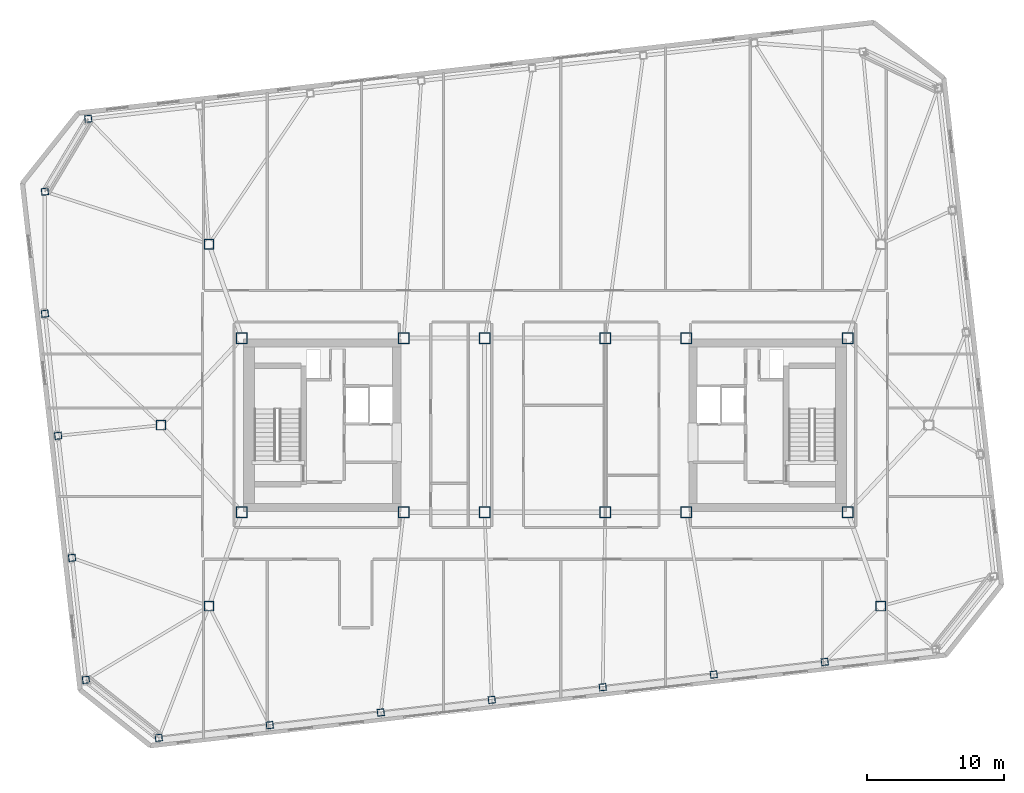
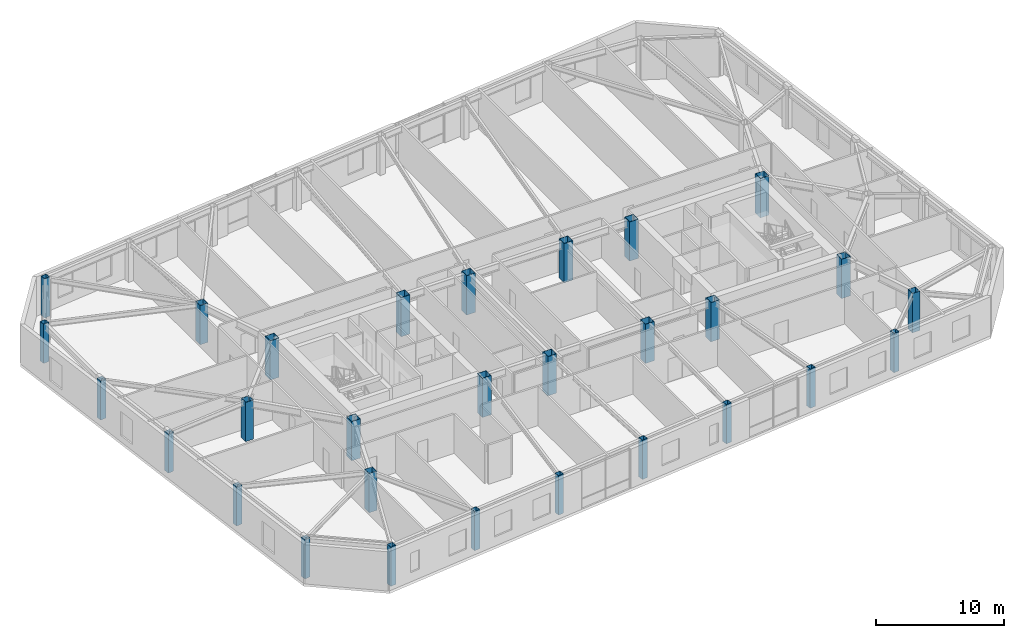
# One storey, part 1 of 19: 29 columns.
"""IFC4 building model written with IfcOpenShell, lengths in metres."""

from ifc_helpers import new_model, si_unit, direction, frame, origin, origin_2d, place, context, subcontext, project, spatial, hollow_rectangle, extrude, material, material_profile, profile_set, type_object, element, save


model = new_model("IFC4")

# Units and contexts
model_context = context("Model", 3, precision=1e-05, world=origin(), true_north=direction((0.0, 1.0)))
body_context = subcontext(model_context, "Body", "Model", "MODEL_VIEW")
ifc_project = project(units=[si_unit("LENGTHUNIT", "METRE"), si_unit("AREAUNIT", "SQUARE_METRE"), si_unit("VOLUMEUNIT", "CUBIC_METRE"), si_unit("PLANEANGLEUNIT", "RADIAN"), si_unit("MASSUNIT", "GRAM", prefix="KILO")], contexts=[model_context])

# Site, building, storey
site_placement = place(None, origin())
site = spatial("IfcSite", under=ifc_project, at=site_placement, CompositionType="ELEMENT")
building_placement = place(site_placement, origin())
building = spatial("IfcBuilding", under=site, at=building_placement, Name="Tavrogorsk Clinical Tower", CompositionType="ELEMENT")
storey_placement = place(building_placement, frame((0.0, 0.0, 263.0)))
storey = spatial("IfcBuildingStorey", under=building, at=storey_placement, Name="L61", CompositionType="ELEMENT", Elevation=263.0)

# Columns
ifc_material_1 = material(Name="Structural steel S440", Category="steel")
ifc_material_profile_1 = material_profile(ifc_material_1, hollow_rectangle(XDim=0.699951171875, YDim=0.699951171875, WallThickness=0.031982421875, at=origin_2d()), Name="BOX-700x700x32")
ifc_profile_set_1 = profile_set([ifc_material_profile_1], Name="Structural steel S440")
column_type_1 = type_object("IfcColumnType", Name="MegaCol_BOX700", PredefinedType="COLUMN", material=ifc_profile_set_1)
for number, where, z_axis, x_axis, name in (
    (1, (-24.5, -13.199951171875, 0.0), (0.0, 0.0, 1.0), (1.0, 0.0, 0.0), "L61 Spine Pilotis Column MC-P1"),
    (2, (24.5, -13.199951171875, 0.0), (0.0, 0.0, 1.0), (1.0, 0.0, 0.0), "L61 Spine Pilotis Column MC-P2"),
    (3, (-24.5, 13.199951171875, 0.0), (0.0, 0.0, 1.0), (1.0, 0.0, 0.0), "L61 Spine Pilotis Column MC-P3"),
    (4, (-28.0, 0.0, 0.0), (0.0, 0.0, 1.0), (1.0, 0.0, 0.0), "L61 Spine Pilotis Column MC-P5"),
):
    element("IfcColumn", number, at=place(storey_placement, frame(where, z_axis=z_axis, x_axis=x_axis)), inside=storey, type_object=column_type_1, Name=name, PredefinedType="COLUMN", context=body_context, shape_type="SweptSolid", body=[
        extrude(hollow_rectangle(XDim=0.699951171875, YDim=0.699951171875, WallThickness=0.031982421875, at=origin_2d()), origin(), (0.0, 0.0, 1.0), 3.739990234375),
    ])
ifc_material_2 = material(Name="Structural steel S440", Category="steel")
ifc_material_profile_2 = material_profile(ifc_material_2, hollow_rectangle(XDim=0.800048828125, YDim=0.800048828125, WallThickness=0.035888671875, at=origin_2d()), Name="BOX-800x800x36")
ifc_profile_set_2 = profile_set([ifc_material_profile_2], Name="Structural steel S440")
column_type_2 = type_object("IfcColumnType", Name="MegaCol_BOX800", PredefinedType="COLUMN", material=ifc_profile_set_2)
for number, where, z_axis, x_axis, name in (
    (5, (-22.10009765625, -6.35009765625, 0.0), (0.0, 0.0, 1.0), (1.0, 0.0, 0.0), "L61 Mega Column MC-W1"),
    (6, (-22.10009765625, 6.35009765625, 0.0), (0.0, 0.0, 1.0), (1.0, 0.0, 0.0), "L61 Mega Column MC-W2"),
    (7, (-10.300048828125, -6.35009765625, 0.0), (0.0, 0.0, 1.0), (1.0, 0.0, 0.0), "L61 Mega Column MC-W3"),
    (8, (-10.300048828125, 6.35009765625, 0.0), (0.0, 0.0, 1.0), (1.0, 0.0, 0.0), "L61 Mega Column MC-W4"),
    (9, (10.300048828125, -6.35009765625, 0.0), (0.0, 0.0, 1.0), (1.0, 0.0, 0.0), "L61 Mega Column MC-E1"),
    (10, (10.300048828125, 6.35009765625, 0.0), (0.0, 0.0, 1.0), (1.0, 0.0, 0.0), "L61 Mega Column MC-E2"),
    (11, (22.10009765625, -6.35009765625, 0.0), (0.0, 0.0, 1.0), (1.0, 0.0, 0.0), "L61 Mega Column MC-E3"),
    (12, (22.10009765625, 6.35009765625, 0.0), (0.0, 0.0, 1.0), (1.0, 0.0, 0.0), "L61 Mega Column MC-E4"),
    (13, (-4.39990234375, -6.35009765625, 0.0), (0.0, 0.0, 1.0), (1.0, 0.0, 0.0), "L61 Mega Column MC-C1"),
    (14, (4.39990234375, -6.35009765625, 0.0), (0.0, 0.0, 1.0), (1.0, 0.0, 0.0), "L61 Mega Column MC-C2"),
    (15, (-4.39990234375, 6.35009765625, 0.0), (0.0, 0.0, 1.0), (1.0, 0.0, 0.0), "L61 Mega Column MC-C3"),
    (16, (4.39990234375, 6.35009765625, 0.0), (0.0, 0.0, 1.0), (1.0, 0.0, 0.0), "L61 Mega Column MC-C4"),
):
    element("IfcColumn", number, at=place(storey_placement, frame(where, z_axis=z_axis, x_axis=x_axis)), inside=storey, type_object=column_type_2, Name=name, PredefinedType="COLUMN", context=body_context, shape_type="SweptSolid", body=[
        extrude(hollow_rectangle(XDim=0.800048828125, YDim=0.800048828125, WallThickness=0.035888671875, at=origin_2d()), origin(), (0.0, 0.0, 1.0), 3.739990234375),
    ])
ifc_material_3 = material(Name="Structural steel S440", Category="steel")
ifc_material_profile_3 = material_profile(ifc_material_3, hollow_rectangle(XDim=0.5, YDim=0.5, WallThickness=0.02490234375, at=origin_2d()), Name="BOX-500x500x25")
ifc_profile_set_3 = profile_set([ifc_material_profile_3], Name="Structural steel S440")
column_type_3 = type_object("IfcColumnType", Name="PerimCol_B4_BOX500", PredefinedType="COLUMN", material=ifc_profile_set_3)
for number, where, z_axis, x_axis, name in (
    (17, (-28.164794921875, -22.802490234375, 0.0), (0.0, 0.0, 1.0), (0.993571855677, 0.113203213768, 0.0), "L61 Perimeter Column S1"),
    (18, (-20.068603515625, -21.880126953125, 0.0), (0.0, 0.0, 1.0), (0.993571855677, 0.113203213768, 0.0), "L61 Perimeter Column S2"),
    (19, (-11.972412109375, -20.95751953125, 0.0), (0.0, 0.0, 1.0), (0.993571855677, 0.113203213768, 0.0), "L61 Perimeter Column S3"),
    (20, (-3.876220703125, -20.03515625, 0.0), (0.0, 0.0, 1.0), (0.993571855677, 0.113203213768, 0.0), "L61 Perimeter Column S4"),
    (21, (4.22021484375, -19.11279296875, 0.0), (0.0, 0.0, 1.0), (0.993571855677, 0.113203213768, 0.0), "L61 Perimeter Column S5"),
    (22, (12.31640625, -18.190185546875, 0.0), (0.0, 0.0, 1.0), (0.993571855677, 0.113203213768, 0.0), "L61 Perimeter Column S6"),
    (23, (20.412353515625, -17.267822265625, 0.0), (0.0, 0.0, 1.0), (0.993571855677, 0.113203213768, 0.0), "L61 Perimeter Column S7"),
    (24, (-33.30859375, 22.345458984375, 0.0), (0.0, 0.0, 1.0), (0.993571855677, 0.113203213768, 0.0), "L61 Perimeter Column N8"),
    (25, (-36.469970703125, 17.032958984375, 0.0), (0.0, 0.0, 1.0), (0.993571855677, 0.113203213768, 0.0), "L61 Perimeter Column W1"),
    (26, (-36.469970703125, 8.130615234375, 0.0), (0.0, 0.0, 1.0), (0.993571855677, 0.113203213768, 0.0), "L61 Perimeter Column W2"),
    (27, (-35.505859375, -0.77197265625, 0.0), (0.0, 0.0, 1.0), (0.993571855677, 0.113203213768, 0.0), "L61 Perimeter Column W3"),
    (28, (-34.491455078125, -9.67431640625, 0.0), (0.0, 0.0, 1.0), (0.993571855677, 0.113203213768, 0.0), "L61 Perimeter Column W4"),
    (29, (-33.477294921875, -18.57666015625, 0.0), (0.0, 0.0, 1.0), (0.993571855677, 0.113203213768, 0.0), "L61 Perimeter Column W5"),
):
    element("IfcColumn", number, at=place(storey_placement, frame(where, z_axis=z_axis, x_axis=x_axis)), inside=storey, type_object=column_type_3, Name=name, PredefinedType="COLUMN", context=body_context, shape_type="SweptSolid", body=[
        extrude(hollow_rectangle(XDim=0.5, YDim=0.5, WallThickness=0.02490234375, at=origin_2d()), origin(), (0.0, 0.0, 1.0), 3.739990234375),
    ])

save(model, "model.ifc")
